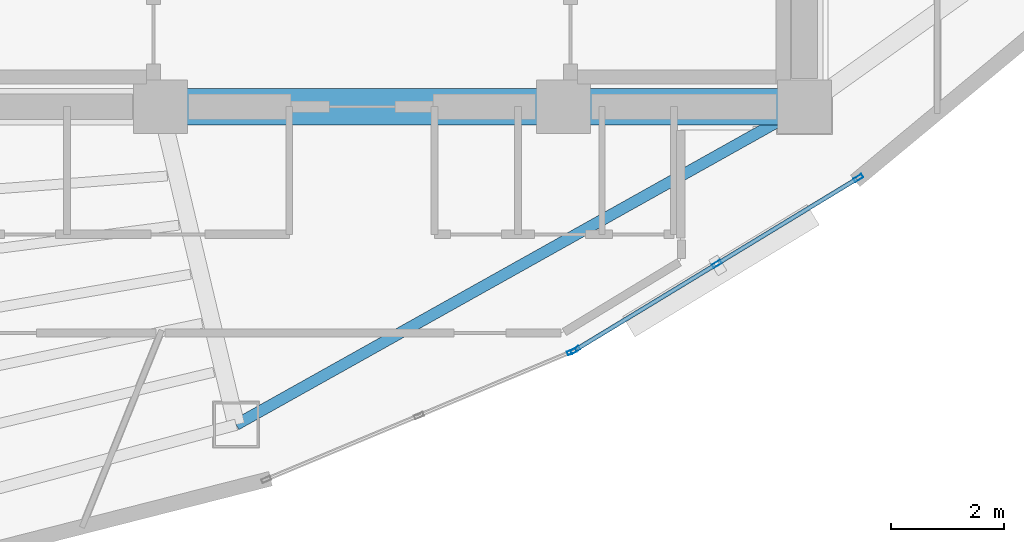
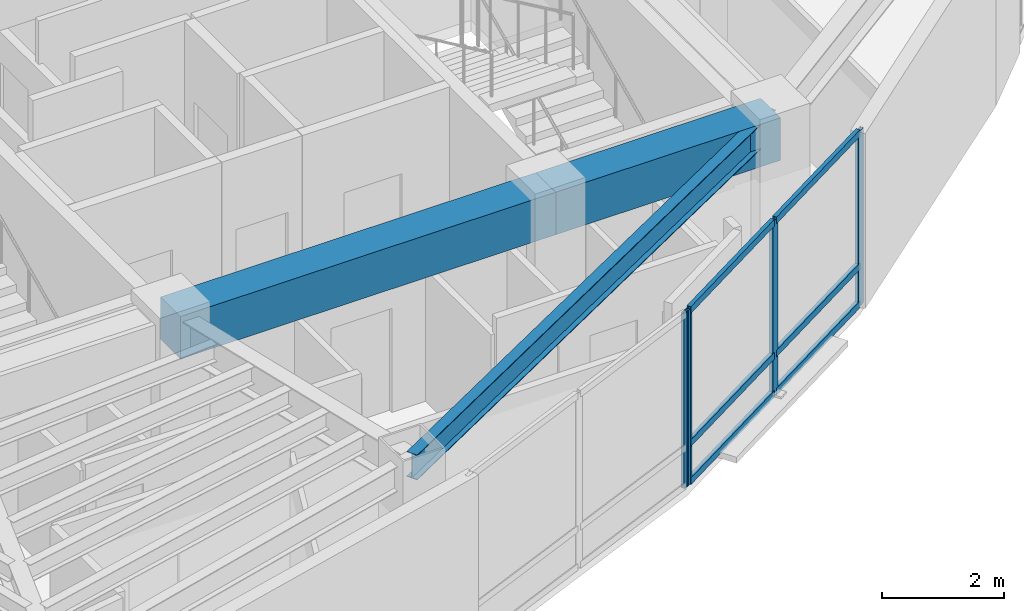
# One storey, part 5 of 15: 10 members, 3 beams, 2 elements without a shape of their own.
"""IFC4 building model written with IfcOpenShell, lengths in metres."""

from ifc_helpers import new_model, si_unit, direction, frame, origin, origin_2d, place, context, subcontext, project, spatial, rectangle, hollow_rectangle, i_section, extrude, material, layer, layer_set, material_profile, profile_set, type_object, element, aggregate, save


model = new_model("IFC4")

# Units and contexts
model_context = context("Model", 3, precision=1e-05, world=origin(), true_north=direction((0.0, 1.0)))
body_context = subcontext(model_context, "Body", "Model", "MODEL_VIEW")
ifc_project = project(units=[si_unit("LENGTHUNIT", "METRE"), si_unit("AREAUNIT", "SQUARE_METRE"), si_unit("VOLUMEUNIT", "CUBIC_METRE"), si_unit("PLANEANGLEUNIT", "RADIAN"), si_unit("MASSUNIT", "GRAM", prefix="KILO")], contexts=[model_context])

# Site, building, storey
site_placement = place(None, origin())
site = spatial("IfcSite", under=ifc_project, at=site_placement, CompositionType="ELEMENT")
building_placement = place(site_placement, origin())
building = spatial("IfcBuilding", under=site, at=building_placement, Name="Menara Vayukalpa", CompositionType="ELEMENT")
storey_placement = place(building_placement, frame((0.0, 0.0, 265.739990234375)))
storey = spatial("IfcBuildingStorey", under=building, at=storey_placement, Name="L67", CompositionType="ELEMENT", Elevation=265.739990234375)

# Beams
ifc_material_1 = material(Name="Concrete C60/75", Category="concrete")
ifc_material_profile_1 = material_profile(ifc_material_1, rectangle(XDim=0.64990234375, YDim=0.85009765625, at=origin_2d()), Name="RC 650x850")
ifc_profile_set_1 = profile_set([ifc_material_profile_1], Name="Concrete C60/75")
beam_type_1 = type_object("IfcBeamType", Name="BM-CB1", PredefinedType="BEAM", material=ifc_profile_set_1)
beam_1_placement = place(storey_placement, frame((22.050048828125, 17.199951171875, 3.074951171875), z_axis=(1.0, 0.0, 0.0), x_axis=(0.0, 1.0, 0.0)))
element("IfcBeam", 1, at=beam_1_placement, inside=storey, type_object=beam_type_1, Name="L67 Core Tie Beam CBR2", PredefinedType="BEAM", context=body_context, shape_type="SweptSolid", body=[
    extrude(rectangle(XDim=0.64990234375, YDim=0.85009765625, at=origin_2d()), origin(), (0.0, 0.0, 1.0), 7.099853515625),
])
beam_2_placement = place(storey_placement, frame((29.14990234375, 17.199951171875, 3.074951171875), z_axis=(1.0, 0.0, 0.0), x_axis=(0.0, 1.0, 0.0)))
element("IfcBeam", 2, at=beam_2_placement, inside=storey, type_object=beam_type_1, Name="L67 Core Tie Beam CBR3", PredefinedType="BEAM", context=body_context, shape_type="SweptSolid", body=[
    extrude(rectangle(XDim=0.64990234375, YDim=0.85009765625, at=origin_2d()), origin(), (0.0, 0.0, 1.0), 4.25),
])
ifc_material_2 = material(Name="Steel S355", Category="steel")
ifc_material_profile_2 = material_profile(ifc_material_2, i_section(OverallWidth=0.199951171875, OverallDepth=0.5, WebThickness=0.010009765625, FlangeThickness=0.01611328125, at=origin_2d()), Name="WF 500x200x10x16")
ifc_profile_set_2 = profile_set([ifc_material_profile_2], Name="Steel S355")
beam_type_2 = type_object("IfcBeamType", Name="BM-SP3", PredefinedType="SPANDREL", material=ifc_profile_set_2)
beam_3_placement = place(storey_placement, frame((23.3818359375, 11.59521484375, 3.25), z_axis=(0.87270577288, 0.48824648896, 0.0), x_axis=(-0.48824648896, 0.87270577288, 0.0)))
element("IfcBeam", 3, at=beam_3_placement, inside=storey, type_object=beam_type_2, Name="L67 Perimeter Spandrel Beam SP08", PredefinedType="SPANDREL", context=body_context, shape_type="SweptSolid", body=[
    extrude(i_section(OverallWidth=0.199951171875, OverallDepth=0.5, WebThickness=0.010009765625, FlangeThickness=0.01611328125, at=origin_2d()), origin(), (0.0, 0.0, 1.0), 11.479248046875),
])

# Curtain wall, member
ifc_material_3 = material(Name="Anodised Terracotta Aluminium Alloy 6063-T6", Category="masonry")
ifc_layer = layer(ifc_material_3, 0.1650390625)
ifc_layer_set = layer_set([ifc_layer], Name="Anodised Terracotta Aluminium Alloy 6063-T6")
curtain_wall_type = type_object("IfcCurtainWallType", Name="CW-CW6", PredefinedType="USERDEFINED", material=ifc_layer_set)
curtain_wall_1_placement = place(storey_placement, origin())
curtain_wall_1 = element("IfcCurtainWall", 4, at=curtain_wall_1_placement, inside=storey, type_object=curtain_wall_type, Name="L67 Observation and Executive Curtain Wall CW6 16", ObjectType="UNITISED", PredefinedType="USERDEFINED")
ifc_material_4 = material(Name="Anodised Terracotta Aluminium Alloy 6063-T6", Category="masonry")
ifc_material_profile_3 = material_profile(ifc_material_4, hollow_rectangle(XDim=0.070068359375, YDim=0.1650390625, WallThickness=0.00390625, at=origin_2d()), Name="ALU 70x165x4")
ifc_profile_set_3 = profile_set([ifc_material_profile_3], Name="Anodised Terracotta Aluminium Alloy 6063-T6")
member_type_1 = type_object("IfcMemberType", Name="CWM-CW6", PredefinedType="MULLION", material=ifc_profile_set_3)
member_1_placement = place(storey_placement, frame((29.298828125, 12.881103515625, 0.0), z_axis=(0.0, 0.0, 1.0), x_axis=(-0.385899911703, 0.922540653927, 0.0)))
member_1 = element("IfcMember", 5, at=member_1_placement, type_object=member_type_1, Name="CW6 mullion 3", PredefinedType="MULLION", context=body_context, shape_type="SweptSolid", body=[
    extrude(hollow_rectangle(XDim=0.070068359375, YDim=0.1650390625, WallThickness=0.00390625, at=origin_2d()), origin(), (0.0, 0.0, 1.0), 3.5),
])
aggregate(curtain_wall_1, [member_1])

# Curtain wall, members
curtain_wall_2_placement = place(storey_placement, origin())
curtain_wall_2 = element("IfcCurtainWall", 6, at=curtain_wall_2_placement, inside=storey, type_object=curtain_wall_type, Name="L67 Observation and Executive Curtain Wall CW6 17", ObjectType="UNITISED", PredefinedType="USERDEFINED")
member_2_placement = place(storey_placement, frame((29.36083984375, 12.912841796875, 0.0), z_axis=(0.0, 0.0, 1.0), x_axis=(-0.519175574558, 0.854667609532, 0.0)))
member_2 = element("IfcMember", 7, at=member_2_placement, type_object=member_type_1, Name="CW6 mullion 1", PredefinedType="MULLION", context=body_context, shape_type="SweptSolid", body=[
    extrude(hollow_rectangle(XDim=0.070068359375, YDim=0.1650390625, WallThickness=0.00390625, at=origin_2d()), origin(), (0.0, 0.0, 1.0), 3.5),
])
member_3_placement = place(storey_placement, frame((31.85546875, 14.42822265625, 0.0), z_axis=(0.0, 0.0, 1.0), x_axis=(-0.519175574558, 0.854667609532, 0.0)))
member_3 = element("IfcMember", 8, at=member_3_placement, type_object=member_type_1, Name="CW6 mullion 2", PredefinedType="MULLION", context=body_context, shape_type="SweptSolid", body=[
    extrude(hollow_rectangle(XDim=0.070068359375, YDim=0.1650390625, WallThickness=0.00390625, at=origin_2d()), origin(), (0.0, 0.0, 1.0), 3.5),
])
member_4_placement = place(storey_placement, frame((34.35009765625, 15.943603515625, 0.0), z_axis=(0.0, 0.0, 1.0), x_axis=(-0.519175574558, 0.854667609532, 0.0)))
member_4 = element("IfcMember", 9, at=member_4_placement, type_object=member_type_1, Name="CW6 mullion 3", PredefinedType="MULLION", context=body_context, shape_type="SweptSolid", body=[
    extrude(hollow_rectangle(XDim=0.070068359375, YDim=0.1650390625, WallThickness=0.00390625, at=origin_2d()), origin(), (0.0, 0.0, 1.0), 3.5),
])
ifc_material_5 = material(Name="Anodised Terracotta Aluminium Alloy 6063-T6", Category="masonry")
ifc_material_profile_4 = material_profile(ifc_material_5, hollow_rectangle(XDim=0.074951171875, YDim=0.135009765625, WallThickness=0.00390625, at=origin_2d()), Name="ALU 75x135x4")
ifc_profile_set_4 = profile_set([ifc_material_profile_4], Name="Anodised Terracotta Aluminium Alloy 6063-T6")
member_type_2 = type_object("IfcMemberType", Name="CWT-CW6", PredefinedType="USERDEFINED", material=ifc_profile_set_4)
member_5_placement = place(storey_placement, frame((29.390869140625, 12.93115234375, 0.03759765625), z_axis=(0.854689729536, 0.519139158825, 0.0), x_axis=(-0.519139158825, 0.854689729536, 0.0)))
member_5 = element("IfcMember", 10, at=member_5_placement, type_object=member_type_2, Name="CW6 transom 1.1", ObjectType="TRANSOM", PredefinedType="USERDEFINED", context=body_context, shape_type="SweptSolid", body=[
    extrude(hollow_rectangle(XDim=0.074951171875, YDim=0.135009765625, WallThickness=0.00390625, at=origin_2d()), origin(), (0.0, 0.0, 1.0), 2.848388671875),
])
member_6_placement = place(storey_placement, frame((29.390869140625, 12.93115234375, 0.800048828125), z_axis=(0.854689729536, 0.519139158825, 0.0), x_axis=(-0.519139158825, 0.854689729536, 0.0)))
member_6 = element("IfcMember", 11, at=member_6_placement, type_object=member_type_2, Name="CW6 transom 1.2", ObjectType="TRANSOM", PredefinedType="USERDEFINED", context=body_context, shape_type="SweptSolid", body=[
    extrude(hollow_rectangle(XDim=0.074951171875, YDim=0.135009765625, WallThickness=0.00390625, at=origin_2d()), origin(), (0.0, 0.0, 1.0), 2.848388671875),
])
member_7_placement = place(storey_placement, frame((29.390869140625, 12.93115234375, 3.46240234375), z_axis=(0.854689729536, 0.519139158825, 0.0), x_axis=(-0.519139158825, 0.854689729536, 0.0)))
member_7 = element("IfcMember", 12, at=member_7_placement, type_object=member_type_2, Name="CW6 transom 1.3", ObjectType="TRANSOM", PredefinedType="USERDEFINED", context=body_context, shape_type="SweptSolid", body=[
    extrude(hollow_rectangle(XDim=0.074951171875, YDim=0.135009765625, WallThickness=0.00390625, at=origin_2d()), origin(), (0.0, 0.0, 1.0), 2.848388671875),
])
member_8_placement = place(storey_placement, frame((31.88525390625, 14.4462890625, 0.03759765625), z_axis=(0.854674800659, 0.519163736328, 0.0), x_axis=(-0.519163736328, 0.85467480066, 0.0)))
member_8 = element("IfcMember", 13, at=member_8_placement, type_object=member_type_2, Name="CW6 transom 2.1", ObjectType="TRANSOM", PredefinedType="USERDEFINED", context=body_context, shape_type="SweptSolid", body=[
    extrude(hollow_rectangle(XDim=0.074951171875, YDim=0.135009765625, WallThickness=0.00390625, at=origin_2d()), origin(), (0.0, 0.0, 1.0), 2.848876953125),
])
member_9_placement = place(storey_placement, frame((31.88525390625, 14.4462890625, 0.800048828125), z_axis=(0.854674800659, 0.519163736328, 0.0), x_axis=(-0.519163736328, 0.85467480066, 0.0)))
member_9 = element("IfcMember", 14, at=member_9_placement, type_object=member_type_2, Name="CW6 transom 2.2", ObjectType="TRANSOM", PredefinedType="USERDEFINED", context=body_context, shape_type="SweptSolid", body=[
    extrude(hollow_rectangle(XDim=0.074951171875, YDim=0.135009765625, WallThickness=0.00390625, at=origin_2d()), origin(), (0.0, 0.0, 1.0), 2.848876953125),
])
member_10_placement = place(storey_placement, frame((31.88525390625, 14.4462890625, 3.46240234375), z_axis=(0.854674800659, 0.519163736328, 0.0), x_axis=(-0.519163736328, 0.85467480066, 0.0)))
member_10 = element("IfcMember", 15, at=member_10_placement, type_object=member_type_2, Name="CW6 transom 2.3", ObjectType="TRANSOM", PredefinedType="USERDEFINED", context=body_context, shape_type="SweptSolid", body=[
    extrude(hollow_rectangle(XDim=0.074951171875, YDim=0.135009765625, WallThickness=0.00390625, at=origin_2d()), origin(), (0.0, 0.0, 1.0), 2.848876953125),
])
aggregate(curtain_wall_2, [member_2, member_3, member_4, member_5, member_6, member_7, member_8, member_9, member_10])

save(model, "model.ifc")
